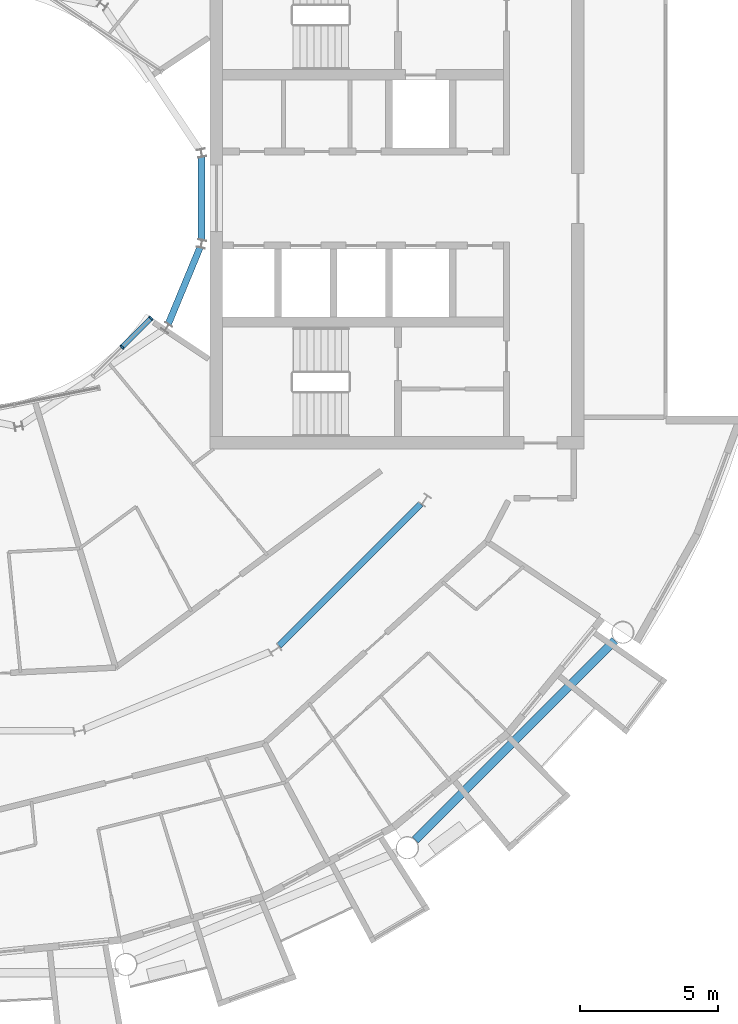
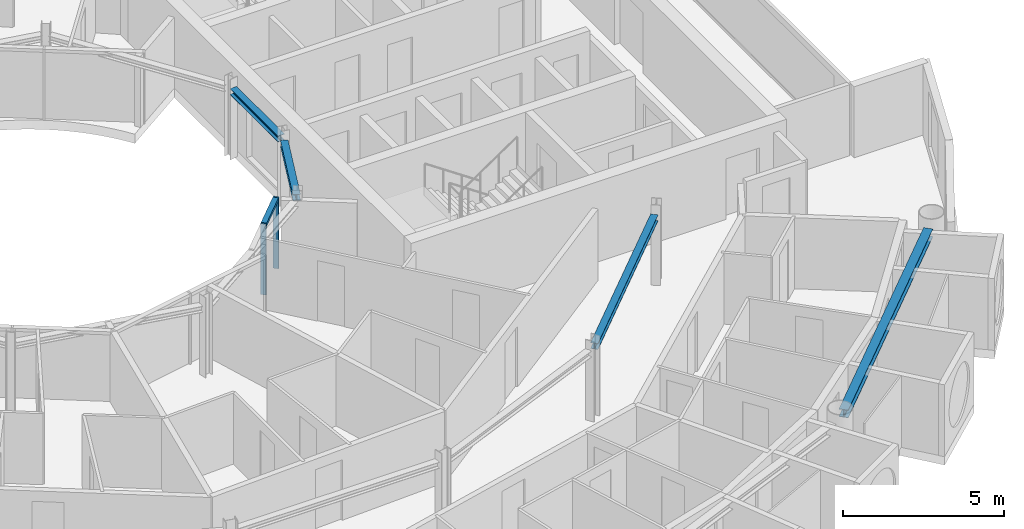
# One storey, part 8 of 29: 4 beams, 3 members, 1 element without a shape of its own.
"""IFC4 building model written with IfcOpenShell, lengths in metres."""

from ifc_helpers import new_model, si_unit, direction, frame, origin, origin_2d, place, context, subcontext, project, spatial, rectangle, i_section, extrude, material, layer, layer_set, material_profile, profile_set, type_object, element, aggregate, save


model = new_model("IFC4")

# Units and contexts
model_context = context("Model", 3, precision=1e-05, world=origin(), true_north=direction((0.0, 1.0)))
body_context = subcontext(model_context, "Body", "Model", "MODEL_VIEW")
ifc_project = project(units=[si_unit("LENGTHUNIT", "METRE"), si_unit("AREAUNIT", "SQUARE_METRE"), si_unit("VOLUMEUNIT", "CUBIC_METRE"), si_unit("PLANEANGLEUNIT", "RADIAN"), si_unit("MASSUNIT", "GRAM", prefix="KILO")], contexts=[model_context])

# Site, building, storey
site_placement = place(None, origin())
site = spatial("IfcSite", under=ifc_project, at=site_placement, CompositionType="ELEMENT")
building_placement = place(site_placement, origin())
building = spatial("IfcBuilding", under=site, at=building_placement, Name="Maasbend Ring Residences", CompositionType="ELEMENT")
storey_placement = place(building_placement, frame((0.0, 0.0, 190.199951171875)))
storey = spatial("IfcBuildingStorey", under=building, at=storey_placement, Name="L54", CompositionType="ELEMENT", Elevation=190.199951171875)

# Curtain wall, members
ifc_material_1 = material(Name="Aluminium and clear glass", Category="aluminium")
ifc_layer = layer(ifc_material_1, 0.179931640625)
ifc_layer_set = layer_set([ifc_layer], Name="CW-W")
curtain_wall_type = type_object("IfcCurtainWallType", Name="CW-W", PredefinedType="NOTDEFINED", material=ifc_layer_set)
curtain_wall_placement = place(storey_placement, origin())
curtain_wall = element("IfcCurtainWall", 1, at=curtain_wall_placement, inside=storey, type_object=curtain_wall_type, Name="Well curtain wall S3", PredefinedType="NOTDEFINED")
ifc_material_2 = material(Name="Aluminium 6063-T6", Category="aluminium")
ifc_material_profile_1 = material_profile(ifc_material_2, rectangle(XDim=0.179931640625, YDim=0.06005859375, at=origin_2d()), Name="AL 180x60")
ifc_profile_set_1 = profile_set([ifc_material_profile_1], Name="Aluminium 6063-T6")
member_type_1 = type_object("IfcMemberType", Name="CWM-W", PredefinedType="MULLION", material=ifc_profile_set_1)
member_1_placement = place(storey_placement, frame((5.366943359375, -5.366943359375, 0.0), z_axis=(0.0, 0.0, 1.0), x_axis=(-0.707106781187, 0.707106781187, 0.0)))
member_1 = element("IfcMember", 2, at=member_1_placement, type_object=member_type_1, Name="Mullion well face", PredefinedType="MULLION", context=body_context, shape_type="SweptSolid", body=[
    extrude(rectangle(XDim=0.179931640625, YDim=0.06005859375, at=origin_2d()), origin(), (0.0, 0.0, 1.0), 2.699951171875),
])
member_2_placement = place(storey_placement, frame((6.413330078125, -4.320556640625, 0.0), z_axis=(0.0, 0.0, 1.0), x_axis=(-0.707106781187, 0.707106781187, 0.0)))
member_2 = element("IfcMember", 3, at=member_2_placement, type_object=member_type_1, Name="Mullion well face", PredefinedType="MULLION", context=body_context, shape_type="SweptSolid", body=[
    extrude(rectangle(XDim=0.179931640625, YDim=0.06005859375, at=origin_2d()), origin(), (0.0, 0.0, 1.0), 2.699951171875),
])
ifc_material_3 = material(Name="Aluminium 6063-T6", Category="aluminium")
ifc_material_profile_2 = material_profile(ifc_material_3, rectangle(XDim=0.179931640625, YDim=0.1201171875, at=origin_2d()), Name="AL 180x120")
ifc_profile_set_2 = profile_set([ifc_material_profile_2], Name="Aluminium 6063-T6")
member_type_2 = type_object("IfcMemberType", Name="CWT-W", PredefinedType="USERDEFINED", material=ifc_profile_set_2)
member_3_placement = place(storey_placement, frame((5.38818359375, -5.345703125, 2.64013671875), z_axis=(0.707106781187, 0.707106781187, 0.0), x_axis=(-0.707106781187, 0.707106781187, 0.0)))
member_3 = element("IfcMember", 4, at=member_3_placement, type_object=member_type_2, Name="Transom well face", ObjectType="TRANSOM", PredefinedType="USERDEFINED", context=body_context, shape_type="SweptSolid", body=[
    extrude(rectangle(XDim=0.179931640625, YDim=0.1201171875, at=origin_2d()), origin(), (0.0, 0.0, 1.0), 1.419677734375),
])
aggregate(curtain_wall, [member_1, member_2, member_3])

# Beams
ifc_material_4 = material(Name="Steel S355J2", Category="steel")
ifc_material_profile_3 = material_profile(ifc_material_4, i_section(OverallWidth=0.239990234375, OverallDepth=0.22998046875, WebThickness=0.007568359375, FlangeThickness=0.011962890625, FilletRadius=0.02099609375, at=origin_2d()), Name="HEA 240")
ifc_profile_set_3 = profile_set([ifc_material_profile_3], Name="Steel S355J2")
beam_type_1 = type_object("IfcBeamType", Name="Corridor ring beam HEA 240", PredefinedType="BEAM", material=ifc_profile_set_3)
beam_1_placement = place(storey_placement, frame((11.033447265625, -16.152587890625, 2.5849609375), z_axis=(0.707106781187, 0.707106781187, 0.0), x_axis=(-0.707106781187, 0.707106781187, 0.0)))
element("IfcBeam", 5, at=beam_1_placement, inside=storey, type_object=beam_type_1, Name="Corridor ring beam", PredefinedType="BEAM", context=body_context, shape_type="SweptSolid", body=[
    extrude(i_section(OverallWidth=0.239990234375, OverallDepth=0.22998046875, WebThickness=0.007568359375, FlangeThickness=0.011962890625, FilletRadius=0.02099609375, at=origin_2d()), origin(), (0.0, 0.0, 1.0), 7.239501953125),
])
ifc_material_5 = material(Name="Steel S355J2", Category="steel")
ifc_material_profile_4 = material_profile(ifc_material_5, i_section(OverallWidth=0.300048828125, OverallDepth=0.300048828125, WebThickness=0.010986328125, FlangeThickness=0.01904296875, FilletRadius=0.027099609375, at=origin_2d()), Name="HEB 300")
ifc_profile_set_4 = profile_set([ifc_material_profile_4], Name="Steel S355J2")
beam_type_2 = type_object("IfcBeamType", Name="Spandrel ring beam HEB 300", PredefinedType="SPANDREL", material=ifc_profile_set_4)
beam_2_placement = place(storey_placement, frame((15.95458984375, -23.159912109375, 2.550048828125), z_axis=(0.707106781187, 0.707106781187, 0.0), x_axis=(-0.707106781187, 0.707106781187, 0.0)))
element("IfcBeam", 6, at=beam_2_placement, inside=storey, type_object=beam_type_2, Name="Spandrel ring beam", PredefinedType="SPANDREL", context=body_context, shape_type="SweptSolid", body=[
    extrude(i_section(OverallWidth=0.300048828125, OverallDepth=0.300048828125, WebThickness=0.010986328125, FlangeThickness=0.01904296875, FilletRadius=0.027099609375, at=origin_2d()), origin(), (0.0, 0.0, 1.0), 10.18994140625),
])
ifc_material_6 = material(Name="Steel S355J2", Category="steel")
ifc_material_profile_5 = material_profile(ifc_material_6, i_section(OverallWidth=0.239990234375, OverallDepth=0.22998046875, WebThickness=0.007568359375, FlangeThickness=0.011962890625, FilletRadius=0.02099609375, at=origin_2d()), Name="HEA 240")
ifc_profile_set_5 = profile_set([ifc_material_profile_5], Name="Steel S355J2")
beam_type_3 = type_object("IfcBeamType", Name="Well edge beam HEA 240", PredefinedType="BEAM", material=ifc_profile_set_5)
beam_3_placement = place(storey_placement, frame((7.041015625, -4.5302734375, 2.5849609375), z_axis=(0.382614534057, 0.923908068115, 0.0), x_axis=(-0.923908068115, 0.382614534057, 0.0)))
element("IfcBeam", 7, at=beam_3_placement, inside=storey, type_object=beam_type_3, Name="Well edge beam", PredefinedType="BEAM", context=body_context, shape_type="SweptSolid", body=[
    extrude(i_section(OverallWidth=0.239990234375, OverallDepth=0.22998046875, WebThickness=0.007568359375, FlangeThickness=0.011962890625, FilletRadius=0.02099609375, at=origin_2d()), origin(), (0.0, 0.0, 1.0), 2.981689453125),
])
beam_4_placement = place(storey_placement, frame((8.238525390625, -1.490966796875, 2.5849609375), z_axis=(0.0, 1.0, 0.0), x_axis=(-1.0, 0.0, 0.0)))
element("IfcBeam", 8, at=beam_4_placement, inside=storey, type_object=beam_type_3, Name="Well edge beam", PredefinedType="BEAM", context=body_context, shape_type="SweptSolid", body=[
    extrude(i_section(OverallWidth=0.239990234375, OverallDepth=0.22998046875, WebThickness=0.007568359375, FlangeThickness=0.011962890625, FilletRadius=0.02099609375, at=origin_2d()), origin(), (0.0, 0.0, 1.0), 2.98193359375),
])

save(model, "model.ifc")
